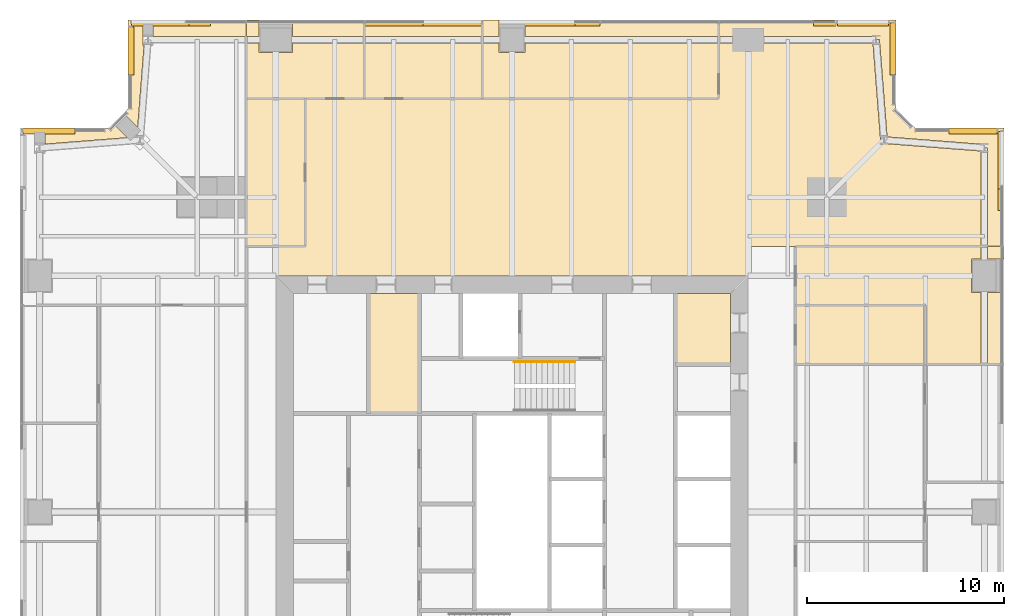
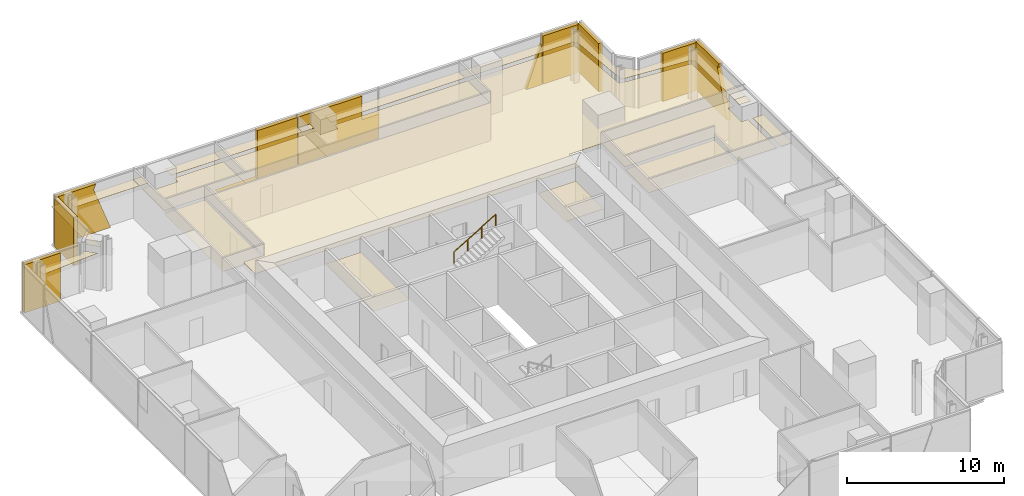
# One storey, part 14 of 16: 30 coverings, 1 railing.
"""IFC4 building model written with IfcOpenShell, lengths in metres."""

from ifc_helpers import new_model, si_unit, direction, frame, origin, origin_2d, place, context, subcontext, project, spatial, polyline, circle, outline, extrude, material, layer, layer_set, type_object, element, save


model = new_model("IFC4")

# Units and contexts
model_context = context("Model", 3, precision=1e-05, world=origin(), true_north=direction((0.0, 1.0)))
body_context = subcontext(model_context, "Body", "Model", "MODEL_VIEW")
ifc_project = project(units=[si_unit("LENGTHUNIT", "METRE"), si_unit("AREAUNIT", "SQUARE_METRE"), si_unit("VOLUMEUNIT", "CUBIC_METRE"), si_unit("PLANEANGLEUNIT", "RADIAN"), si_unit("MASSUNIT", "GRAM", prefix="KILO")], contexts=[model_context])

# Site, building, storey
site_placement = place(None, origin())
site = spatial("IfcSite", under=ifc_project, at=site_placement, CompositionType="ELEMENT")
building_placement = place(site_placement, origin())
building = spatial("IfcBuilding", under=site, at=building_placement, Name="Fenwick Lantern Interchange", CompositionType="ELEMENT")
storey_placement = place(building_placement, frame((0.0, 0.0, 181.800048828125)))
storey = spatial("IfcBuildingStorey", under=building, at=storey_placement, Name="L42", CompositionType="ELEMENT", Elevation=181.800048828125)

# Coverings
ifc_material_1 = material(Name="Mineral fibre acoustic tile on suspended grid")
ifc_layer_1 = layer(ifc_material_1, 0.02001953125)
ifc_layer_set_1 = layer_set([ifc_layer_1], Name="ACOUSTIC TILE CEILING 20")
covering_type_1 = type_object("IfcCoveringType", Name="ACOUSTIC TILE CEILING 20", PredefinedType="CEILING", material=ifc_layer_set_1)
covering_1_placement = place(storey_placement, frame((0.0, 0.0, 2.89990234375)))
element("IfcCovering", 1, at=covering_1_placement, inside=storey, type_object=covering_type_1, Name="Meeting room ceiling", PredefinedType="CEILING", context=body_context, shape_type="SweptSolid", body=[
    extrude(outline(polyline([(48.35009765625, 37.85009765625), (48.82763671875, 37.85009765625), (48.82763671875, 38.5), (39.39990234375, 38.5), (39.39990234375, 35.5), (46.0, 35.5), (46.0, 32.5), (48.82763671875, 32.5), (48.82763671875, 36.14990234375), (48.35009765625, 36.14990234375), (48.35009765625, 37.85009765625)])), origin(), (0.0, 0.0, 1.0), 0.02001953125),
])
covering_2_placement = place(storey_placement, frame((0.0, 0.0, 2.89990234375)))
element("IfcCovering", 2, at=covering_2_placement, inside=storey, type_object=covering_type_1, Name="Meeting room ceiling", PredefinedType="CEILING", context=body_context, shape_type="SweptSolid", body=[
    extrude(outline(polyline([(50.0, 36.14990234375), (49.17236328125, 36.14990234375), (49.17236328125, 32.5), (50.0, 32.5), (50.0, 36.14990234375)])), origin(), (0.0, 0.0, 1.0), 0.02001953125),
])
covering_3_placement = place(storey_placement, frame((0.0, 0.0, 2.89990234375)))
element("IfcCovering", 3, at=covering_3_placement, inside=storey, type_object=covering_type_1, Name="Meeting room ceiling", PredefinedType="CEILING", context=body_context, shape_type="SweptSolid", body=[
    extrude(outline(polyline([(49.17236328125, 37.85009765625), (50.0, 37.85009765625), (50.0, 38.5), (49.17236328125, 38.5), (49.17236328125, 37.85009765625)])), origin(), (0.0, 0.0, 1.0), 0.02001953125),
])
covering_4_placement = place(storey_placement, frame((0.0, 0.0, 2.89990234375)))
element("IfcCovering", 4, at=covering_4_placement, inside=storey, type_object=covering_type_1, Name="Open office ceiling", PredefinedType="CEILING", context=body_context, shape_type="SweptSolid", body=[
    extrude(outline(polyline([(37.0, 38.5), (48.82763671875, 38.5), (48.82763671875, 43.340576171875), (43.886474609375, 43.72802734375), (43.89990234375, 43.89990234375), (43.72802734375, 43.886474609375), (43.340576171875, 48.82763671875), (37.0, 48.82763671875), (35.5, 48.82763671875), (35.5, 46.0), (14.5, 46.0), (14.5, 38.5), (13.0, 38.5), (13.0, 37.0), (37.0, 37.0), (37.0, 38.5)])), origin(), (0.0, 0.0, 1.0), 0.02001953125),
])
covering_5_placement = place(storey_placement, frame((0.0, 0.0, 2.89990234375)))
element("IfcCovering", 5, at=covering_5_placement, inside=storey, type_object=covering_type_1, Name="Open office ceiling", PredefinedType="CEILING", context=body_context, shape_type="SweptSolid", body=[
    extrude(outline(polyline([(49.17236328125, 38.5), (50.0, 38.5), (50.0, 44.5), (45.5, 44.5), (44.5, 45.5), (44.5, 50.0), (35.5, 50.0), (35.5, 49.17236328125), (37.0, 49.17236328125), (43.5, 49.17236328125), (43.5, 49.0), (43.671875, 49.013427734375), (44.060302734375, 44.060302734375), (49.013427734375, 43.671875), (49.0, 43.5), (49.17236328125, 43.5), (49.17236328125, 38.5)])), origin(), (0.0, 0.0, 1.0), 0.02001953125),
])
covering_6_placement = place(storey_placement, frame((0.0, 0.0, 2.89990234375)))
element("IfcCovering", 6, at=covering_6_placement, inside=storey, type_object=covering_type_1, Name="Board meeting room ceiling", PredefinedType="CEILING", context=body_context, shape_type="SweptSolid", body=[
    extrude(outline(polyline([(23.5, 46.0), (35.5, 46.0), (35.5, 48.82763671875), (25.64990234375, 48.82763671875), (25.64990234375, 48.35009765625), (24.35009765625, 48.35009765625), (24.35009765625, 48.82763671875), (23.5, 48.82763671875), (23.5, 46.0)])), origin(), (0.0, 0.0, 1.0), 0.02001953125),
])
covering_7_placement = place(storey_placement, frame((0.0, 0.0, 2.89990234375)))
element("IfcCovering", 7, at=covering_7_placement, inside=storey, type_object=covering_type_1, Name="Board meeting room ceiling", PredefinedType="CEILING", context=body_context, shape_type="SweptSolid", body=[
    extrude(outline(polyline([(25.64990234375, 50.0), (25.64990234375, 49.17236328125), (35.5, 49.17236328125), (35.5, 50.0), (25.64990234375, 50.0)])), origin(), (0.0, 0.0, 1.0), 0.02001953125),
])
covering_8_placement = place(storey_placement, frame((0.0, 0.0, 2.89990234375)))
element("IfcCovering", 8, at=covering_8_placement, inside=storey, type_object=covering_type_1, Name="Board meeting room ceiling", PredefinedType="CEILING", context=body_context, shape_type="SweptSolid", body=[
    extrude(outline(polyline([(23.5, 50.0), (23.5, 49.17236328125), (24.35009765625, 49.17236328125), (24.35009765625, 50.0), (23.5, 50.0)])), origin(), (0.0, 0.0, 1.0), 0.02001953125),
])
covering_9_placement = place(storey_placement, frame((0.0, 0.0, 2.89990234375)))
element("IfcCovering", 9, at=covering_9_placement, inside=storey, type_object=covering_type_1, Name="Office ceiling", PredefinedType="CEILING", context=body_context, shape_type="SweptSolid", body=[
    extrude(outline(polyline([(23.5, 46.0), (23.5, 48.82763671875), (17.5, 48.82763671875), (17.5, 46.0), (23.5, 46.0)])), origin(), (0.0, 0.0, 1.0), 0.02001953125),
])
covering_10_placement = place(storey_placement, frame((0.0, 0.0, 2.89990234375)))
element("IfcCovering", 10, at=covering_10_placement, inside=storey, type_object=covering_type_1, Name="Office ceiling", PredefinedType="CEILING", context=body_context, shape_type="SweptSolid", body=[
    extrude(outline(polyline([(17.5, 50.0), (17.5, 49.17236328125), (23.5, 49.17236328125), (23.5, 50.0), (17.5, 50.0)])), origin(), (0.0, 0.0, 1.0), 0.02001953125),
])
covering_11_placement = place(storey_placement, frame((0.0, 0.0, 2.89990234375)))
element("IfcCovering", 11, at=covering_11_placement, inside=storey, type_object=covering_type_1, Name="Office ceiling", PredefinedType="CEILING", context=body_context, shape_type="SweptSolid", body=[
    extrude(outline(polyline([(17.5, 46.0), (17.5, 48.82763671875), (13.85009765625, 48.82763671875), (13.85009765625, 48.35009765625), (12.14990234375, 48.35009765625), (12.14990234375, 48.82763671875), (11.5, 48.82763671875), (11.5, 46.0), (17.5, 46.0)])), origin(), (0.0, 0.0, 1.0), 0.02001953125),
])
covering_12_placement = place(storey_placement, frame((0.0, 0.0, 2.89990234375)))
element("IfcCovering", 12, at=covering_12_placement, inside=storey, type_object=covering_type_1, Name="Office ceiling", PredefinedType="CEILING", context=body_context, shape_type="SweptSolid", body=[
    extrude(outline(polyline([(17.5, 49.17236328125), (17.5, 50.0), (13.85009765625, 50.0), (13.85009765625, 49.17236328125), (17.5, 49.17236328125)])), origin(), (0.0, 0.0, 1.0), 0.02001953125),
])
covering_13_placement = place(storey_placement, frame((0.0, 0.0, 2.89990234375)))
element("IfcCovering", 13, at=covering_13_placement, inside=storey, type_object=covering_type_1, Name="Office ceiling", PredefinedType="CEILING", context=body_context, shape_type="SweptSolid", body=[
    extrude(outline(polyline([(11.5, 50.0), (11.5, 49.17236328125), (12.14990234375, 49.17236328125), (12.14990234375, 50.0), (11.5, 50.0)])), origin(), (0.0, 0.0, 1.0), 0.02001953125),
])
covering_14_placement = place(storey_placement, frame((0.0, 0.0, 2.89990234375)))
element("IfcCovering", 14, at=covering_14_placement, inside=storey, type_object=covering_type_1, Name="Executive office ceiling", PredefinedType="CEILING", context=body_context, shape_type="SweptSolid", body=[
    extrude(outline(polyline([(6.76220703125, 50.0), (6.76220703125, 49.17236328125), (11.5, 49.17236328125), (11.5, 50.0), (6.76220703125, 50.0)])), origin(), (0.0, 0.0, 1.0), 0.02001953125),
])
covering_15_placement = place(storey_placement, frame((0.0, 0.0, 2.89990234375)))
element("IfcCovering", 15, at=covering_15_placement, inside=storey, type_object=covering_type_1, Name="Executive office ceiling", PredefinedType="CEILING", context=body_context, shape_type="SweptSolid", body=[
    extrude(outline(polyline([(6.304443359375, 48.71240234375), (6.23779296875, 48.71240234375), (6.23779296875, 50.0), (5.5, 50.0), (5.5, 45.5), (5.26025390625, 45.26025390625), (5.9775390625, 44.542724609375), (6.304443359375, 48.71240234375)])), origin(), (0.0, 0.0, 1.0), 0.02001953125),
])
covering_16_placement = place(storey_placement, frame((0.0, 0.0, 2.89990234375)))
element("IfcCovering", 16, at=covering_16_placement, inside=storey, type_object=covering_type_1, Name="Executive office ceiling", PredefinedType="CEILING", context=body_context, shape_type="SweptSolid", body=[
    extrude(outline(polyline([(1.26220703125, 44.5), (1.26220703125, 43.693603515625), (5.457275390625, 44.0224609375), (4.73974609375, 44.73974609375), (4.5, 44.5), (1.26220703125, 44.5)])), origin(), (0.0, 0.0, 1.0), 0.02001953125),
])
ifc_material_2 = material(Name="Granite cladding, warm grey flamed finish, on aluminium carrier frame", Category="masonry")
ifc_layer_2 = layer(ifc_material_2, 0.300048828125)
ifc_layer_set_2 = layer_set([ifc_layer_2], Name="BRACE CASING PANEL 300")
covering_type_2 = type_object("IfcCoveringType", Name="BRACE CASING PANEL 300", PredefinedType="CLADDING", material=ifc_layer_set_2)
covering_17_placement = place(storey_placement, frame((49.89990234375, 5.60009765625, 0.0), z_axis=(0.0, 0.0, 1.0), x_axis=(0.0, 1.0, 0.0)))
element("IfcCovering", 17, at=covering_17_placement, inside=storey, type_object=covering_type_2, Name="Brace casing 05 bay 06a", PredefinedType="CLADDING", context=body_context, shape_type="SweptSolid", body=[
    extrude(outline(polyline([(34.718505859375, 0.0), (38.735107421875, 0.0), (38.735107421875, 3.75), (35.8125, 3.75), (35.968994140625, 3.364990234375), (34.718505859375, 0.0)])), frame((0.0, 0.2001953125, 0.0), z_axis=(0.0, -1.0, 0.0), x_axis=(1.0, 0.0, 0.0)), (0.0, 0.0, 1.0), 0.300048828125),
])
covering_18_placement = place(storey_placement, frame((49.89990234375, 44.39990234375, 0.0), z_axis=(0.0, 0.0, 1.0), x_axis=(-1.0, 0.0, 0.0)))
element("IfcCovering", 18, at=covering_18_placement, inside=storey, type_object=covering_type_2, Name="Brace casing 06 bay 00a", PredefinedType="CLADDING", context=body_context, shape_type="SweptSolid", body=[
    extrude(outline(polyline([(0.264892578125, 0.0), (2.699951171875, 0.0), (2.699951171875, 3.75), (0.264892578125, 3.75), (0.264892578125, 0.0)])), frame((0.0, 0.2001953125, 0.0), z_axis=(0.0, -1.0, 0.0), x_axis=(1.0, 0.0, 0.0)), (0.0, 0.0, 1.0), 0.300048828125),
])
covering_19_placement = place(storey_placement, frame((44.39990234375, 45.45849609375, 0.0), z_axis=(0.0, 0.0, 1.0), x_axis=(0.0, 1.0, 0.0)))
element("IfcCovering", 19, at=covering_19_placement, inside=storey, type_object=covering_type_2, Name="Brace casing 08 bay 00a", PredefinedType="CLADDING", context=body_context, shape_type="SweptSolid", body=[
    extrude(outline(polyline([(1.741455078125, 0.0), (4.37646484375, 0.0), (4.37646484375, 3.75), (1.741455078125, 3.75), (1.741455078125, 0.0)])), frame((0.0, 0.2001953125, 0.0), z_axis=(0.0, -1.0, 0.0), x_axis=(1.0, 0.0, 0.0)), (0.0, 0.0, 1.0), 0.300048828125),
])
covering_20_placement = place(storey_placement, frame((44.39990234375, 49.89990234375, 0.0), z_axis=(0.0, 0.0, 1.0), x_axis=(-1.0, 0.0, 0.0)))
element("IfcCovering", 20, at=covering_20_placement, inside=storey, type_object=covering_type_2, Name="Brace casing 09 bay 00a", PredefinedType="CLADDING", context=body_context, shape_type="SweptSolid", body=[
    extrude(outline(polyline([(0.264892578125, 0.0), (2.867431640625, 0.0), (2.867431640625, 3.75), (0.264892578125, 3.75), (0.264892578125, 0.0)])), frame((0.0, 0.2001953125, 0.0), z_axis=(0.0, -1.0, 0.0), x_axis=(1.0, 0.0, 0.0)), (0.0, 0.0, 1.0), 0.300048828125),
])
covering_21_placement = place(storey_placement, frame((44.39990234375, 49.89990234375, 0.0), z_axis=(0.0, 0.0, 1.0), x_axis=(-1.0, 0.0, 0.0)))
element("IfcCovering", 21, at=covering_21_placement, inside=storey, type_object=covering_type_2, Name="Brace casing 09 bay 01a", PredefinedType="CLADDING", context=body_context, shape_type="SweptSolid", body=[
    extrude(outline(polyline([(2.9326171875, 0.0), (4.08154296875, 0.0), (2.9326171875, 3.092041015625), (2.9326171875, 0.0)])), frame((0.0, 0.2001953125, 0.0), z_axis=(0.0, -1.0, 0.0), x_axis=(1.0, 0.0, 0.0)), (0.0, 0.0, 1.0), 0.300048828125),
])
covering_22_placement = place(storey_placement, frame((44.39990234375, 49.89990234375, 0.0), z_axis=(0.0, 0.0, 1.0), x_axis=(-1.0, 0.0, 0.0)))
element("IfcCovering", 22, at=covering_22_placement, inside=storey, type_object=covering_type_2, Name="Brace casing 09 bay 03a", PredefinedType="CLADDING", context=body_context, shape_type="SweptSolid", body=[
    extrude(outline(polyline([(14.9326171875, 0.0), (20.867431640625, 0.0), (20.867431640625, 3.75), (16.197509765625, 3.75), (16.197509765625, 1.90771484375), (14.9326171875, 1.90771484375), (14.9326171875, 0.0)])), frame((0.0, 0.2001953125, 0.0), z_axis=(0.0, -1.0, 0.0), x_axis=(1.0, 0.0, 0.0)), (0.0, 0.0, 1.0), 0.300048828125),
])
covering_23_placement = place(storey_placement, frame((44.39990234375, 49.89990234375, 0.0), z_axis=(0.0, 0.0, 1.0), x_axis=(-1.0, 0.0, 0.0)))
element("IfcCovering", 23, at=covering_23_placement, inside=storey, type_object=covering_type_2, Name="Brace casing 09 bay 04a", PredefinedType="CLADDING", context=body_context, shape_type="SweptSolid", body=[
    extrude(outline(polyline([(20.9326171875, 0.0), (26.867431640625, 0.0), (26.867431640625, 0.001953125), (23.909912109375, 0.001953125), (23.909912109375, 3.75), (20.9326171875, 3.75), (20.9326171875, 0.0)])), frame((0.0, 0.2001953125, 0.0), z_axis=(0.0, -1.0, 0.0), x_axis=(1.0, 0.0, 0.0)), (0.0, 0.0, 1.0), 0.300048828125),
])
covering_24_placement = place(storey_placement, frame((44.39990234375, 49.89990234375, 0.0), z_axis=(0.0, 0.0, 1.0), x_axis=(-1.0, 0.0, 0.0)))
element("IfcCovering", 24, at=covering_24_placement, inside=storey, type_object=covering_type_2, Name="Brace casing 09 bay 06a", PredefinedType="CLADDING", context=body_context, shape_type="SweptSolid", body=[
    extrude(outline(polyline([(34.718505859375, 0.0), (38.735107421875, 0.0), (38.735107421875, 3.75), (35.8125, 3.75), (35.968994140625, 3.364990234375), (34.718505859375, 0.0)])), frame((0.0, 0.2001953125, 0.0), z_axis=(0.0, -1.0, 0.0), x_axis=(1.0, 0.0, 0.0)), (0.0, 0.0, 1.0), 0.300048828125),
])
covering_25_placement = place(storey_placement, frame((5.60009765625, 49.89990234375, 0.0), z_axis=(0.0, 0.0, 1.0), x_axis=(0.0, -1.0, 0.0)))
element("IfcCovering", 25, at=covering_25_placement, inside=storey, type_object=covering_type_2, Name="Brace casing 10 bay 00a", PredefinedType="CLADDING", context=body_context, shape_type="SweptSolid", body=[
    extrude(outline(polyline([(0.264892578125, 0.0), (2.699951171875, 0.0), (2.699951171875, 3.75), (0.264892578125, 3.75), (0.264892578125, 0.0)])), frame((0.0, 0.2001953125, 0.0), z_axis=(0.0, -1.0, 0.0), x_axis=(1.0, 0.0, 0.0)), (0.0, 0.0, 1.0), 0.300048828125),
])
covering_26_placement = place(storey_placement, frame((4.54150390625, 44.39990234375, 0.0), z_axis=(0.0, 0.0, 1.0), x_axis=(-1.0, 0.0, 0.0)))
element("IfcCovering", 26, at=covering_26_placement, inside=storey, type_object=covering_type_2, Name="Brace casing 12 bay 00a", PredefinedType="CLADDING", context=body_context, shape_type="SweptSolid", body=[
    extrude(outline(polyline([(1.741455078125, 0.0), (4.37646484375, 0.0), (4.37646484375, 3.75), (1.741455078125, 3.75), (1.741455078125, 0.0)])), frame((0.0, 0.2001953125, 0.0), z_axis=(0.0, -1.0, 0.0), x_axis=(1.0, 0.0, 0.0)), (0.0, 0.0, 1.0), 0.300048828125),
])

# Railing
ifc_material_3 = material(Name="Stainless steel handrail", Category="steel")
railing_type = type_object("IfcRailingType", Name="HANDRAIL 900", PredefinedType="HANDRAIL", material=ifc_material_3)
railing_placement = place(storey_placement, frame((25.1201171875, 32.6259765625, 2.16650390625)))
element("IfcRailing", 27, at=railing_placement, inside=storey, type_object=railing_type, Name="L42/STAIR/ST2/HR2", PredefinedType="HANDRAIL", context=body_context, shape_type="SweptSolid", body=[
    extrude(circle(Radius=0.02392578125, at=origin_2d()), frame((0.0, 0.0, 0.8759765625), z_axis=(0.859260807169, 0.0, 0.511537745687), x_axis=(0.0, 1.0, 0.0)), (0.0, 0.0, 1.0), 3.584228515625),
    extrude(circle(Radius=0.02099609375, at=origin_2d()), origin(), (0.0, 0.0, 1.0), 0.851806640625),
    extrude(circle(Radius=0.02099609375, at=origin_2d()), frame((1.026611328125, 0.0, 0.611083984375)), (0.0, 0.0, 1.0), 0.851806640625),
    extrude(circle(Radius=0.02099609375, at=origin_2d()), frame((2.05322265625, 0.0, 1.222412109375)), (0.0, 0.0, 1.0), 0.851806640625),
    extrude(circle(Radius=0.02099609375, at=origin_2d()), frame((3.079833984375, 0.0, 1.83349609375)), (0.0, 0.0, 1.0), 0.851806640625),
])

# Coverings
ifc_material_4 = material(Name="Moisture resistant gypsum board on suspended frame, painted")
ifc_layer_3 = layer(ifc_material_4, 0.014892578125)
ifc_layer_set_3 = layer_set([ifc_layer_3], Name="MOISTURE RESISTANT CEILING 15")
covering_type_3 = type_object("IfcCoveringType", Name="MOISTURE RESISTANT CEILING 15", PredefinedType="CEILING", material=ifc_layer_set_3)
covering_27_placement = place(storey_placement, frame((0.0, 0.0, 2.599853515625)))
element("IfcCovering", 28, at=covering_27_placement, inside=storey, type_object=covering_type_3, Name="Men's WC ceiling", PredefinedType="CEILING", context=body_context, shape_type="SweptSolid", body=[
    extrude(outline(polyline([(20.300048828125, 36.10009765625), (17.699951171875, 36.10009765625), (17.699951171875, 30.0), (20.300048828125, 30.0), (20.300048828125, 36.10009765625)])), origin(), (0.0, 0.0, 1.0), 0.01513671875),
])
covering_28_placement = place(storey_placement, frame((0.0, 0.0, 2.599853515625)))
element("IfcCovering", 29, at=covering_28_placement, inside=storey, type_object=covering_type_3, Name="Accessible WC and shower ceiling", PredefinedType="CEILING", context=body_context, shape_type="SweptSolid", body=[
    extrude(outline(polyline([(36.10009765625, 36.10009765625), (33.300048828125, 36.10009765625), (33.300048828125, 32.5), (36.10009765625, 32.5), (36.10009765625, 36.10009765625)])), origin(), (0.0, 0.0, 1.0), 0.01513671875),
])
covering_29_placement = place(storey_placement, frame((0.0, 0.0, 2.699951171875)))
element("IfcCovering", 30, at=covering_29_placement, inside=storey, type_object=covering_type_3, Name="Pantry ceiling", PredefinedType="CEILING", context=body_context, shape_type="SweptSolid", body=[
    extrude(outline(polyline([(46.0, 32.5), (46.0, 35.5), (39.39990234375, 35.5), (39.39990234375, 32.5), (46.0, 32.5)])), origin(), (0.0, 0.0, 1.0), 0.014892578125),
])
ifc_material_5 = material(Name="Gypsum plasterboard on suspended frame, painted")
ifc_layer_4 = layer(ifc_material_5, 0.014892578125)
ifc_layer_set_4 = layer_set([ifc_layer_4], Name="PLASTERBOARD CEILING 15")
covering_type_4 = type_object("IfcCoveringType", Name="PLASTERBOARD CEILING 15", PredefinedType="CEILING", material=ifc_layer_set_4)
covering_30_placement = place(storey_placement, frame((0.0, 0.0, 2.699951171875)))
element("IfcCovering", 31, at=covering_30_placement, inside=storey, type_object=covering_type_4, Name="Wellness room ceiling", PredefinedType="CEILING", context=body_context, shape_type="SweptSolid", body=[
    extrude(outline(polyline([(14.5, 46.0), (11.5, 46.0), (11.5, 38.5), (14.5, 38.5), (14.5, 46.0)])), origin(), (0.0, 0.0, 1.0), 0.014892578125),
])

save(model, "model.ifc")
